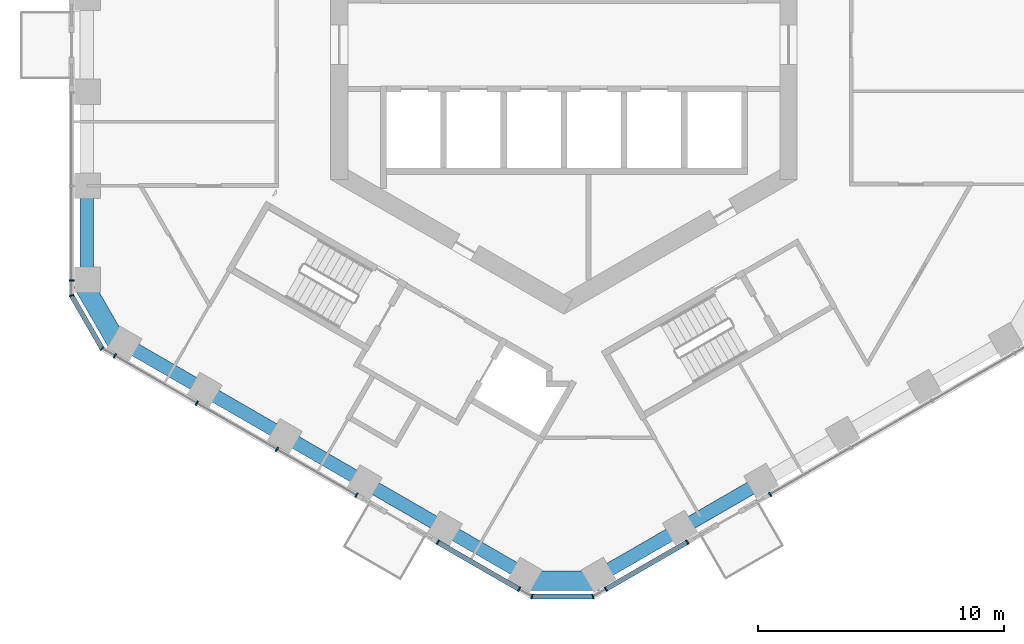
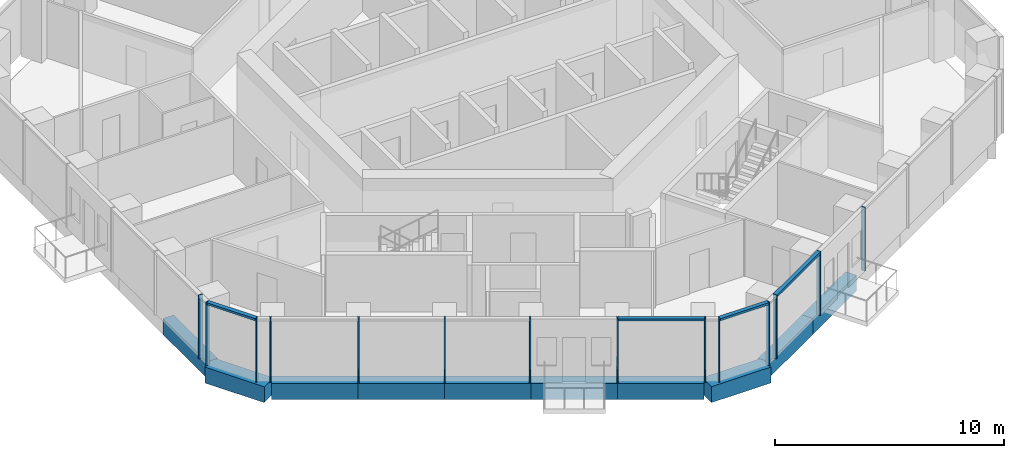
# One storey, part 2 of 20: 18 members, 10 beams, 7 elements without a shape of their own.
"""IFC4 building model written with IfcOpenShell, lengths in metres."""

import ifcopenshell
import ifcopenshell.guid

model = None  # the IFC model being written
_history = None  # IfcOwnerHistory: only IFC2X3 demands one
_inside = {}  # id of a spatial element -> (the spatial element, [elements in it])
_under = {}  # id of a project, library or spatial element -> (it, [spatial elements below it])
_declared = {}  # id of a project -> (the project, [libraries it declares])
_typed = {}  # id of a type object -> (the type object, [elements of that type])
_made_of = {}  # id of a material, layer set ... -> (it, [elements and type objects made of it])


def new_model(schema):
    """Start an empty IFC model of exactly this schema.

    Asked for "IFC4X3", IfcOpenShell would pick the latest addendum, in which some entities
    have other attributes; the version numbers below select the first issue.
    IFC2X3 requires an IfcOwnerHistory on every rooted entity: one is made here for all.
    """
    global model, _history
    if schema == "IFC4X3":
        model = ifcopenshell.file(schema_version=(4, 3, 0, 0))
    else:
        model = ifcopenshell.file(schema=schema)
    _inside.clear()
    _under.clear()
    _declared.clear()
    _typed.clear()
    _made_of.clear()
    _history = None
    if model.schema == "IFC2X3":
        org = make("IfcOrganization", Name="unknown")
        user = make(
            "IfcPersonAndOrganization",
            ThePerson=make("IfcPerson", FamilyName="unknown"),
            TheOrganization=org,
        )
        app = make(
            "IfcApplication",
            ApplicationDeveloper=org,
            Version="unknown",
            ApplicationFullName="unknown",
            ApplicationIdentifier="unknown",
        )
        _history = make(
            "IfcOwnerHistory",
            OwningUser=user,
            OwningApplication=app,
            ChangeAction="ADDED",
            CreationDate=0,
        )
    return model


def make(cls, **values):
    """One entity of the class cls with the attributes given. An attribute that is None is left unset."""
    return model.create_entity(
        cls, **{name: value for name, value in values.items() if value is not None}
    )


def rooted(cls, **values):
    """An entity with a GlobalId (a new one), such as an element, a storey or a relation."""
    return make(cls, GlobalId=ifcopenshell.guid.new(), OwnerHistory=_history, **values)


def si_unit(unit_type, name, prefix=None):
    """IfcSIUnit, for example si_unit("LENGTHUNIT", "METRE", prefix="MILLI")."""
    return make("IfcSIUnit", UnitType=unit_type, Prefix=prefix, Name=name)


def assignment(units):
    """IfcUnitAssignment: the units of a project."""
    return None if units is None else make("IfcUnitAssignment", Units=units)


def point(xyz):
    """IfcCartesianPoint."""
    return None if xyz is None else make("IfcCartesianPoint", Coordinates=xyz)


def direction(xyz):
    """IfcDirection."""
    return None if xyz is None else make("IfcDirection", DirectionRatios=xyz)


def frame(location, z_axis=None, x_axis=None):
    """IfcAxis2Placement3D, a coordinate frame: its origin and axes. An axis left out is left unset."""
    return make(
        "IfcAxis2Placement3D",
        Location=point(location),
        Axis=direction(z_axis),
        RefDirection=direction(x_axis),
    )


def frame_2d(location, x_axis=None):
    """IfcAxis2Placement2D, a coordinate frame in the plane: its origin and x axis."""
    return make(
        "IfcAxis2Placement2D", Location=point(location), RefDirection=direction(x_axis)
    )


def origin():
    """The frame at (0, 0, 0) with its axes left unset."""
    return frame((0.0, 0.0, 0.0))


def origin_2d():
    """The frame at (0, 0) in the plane with its x axis left unset."""
    return frame_2d((0.0, 0.0))


def place(relative_to, where):
    """IfcLocalPlacement: puts the frame where relative to a parent placement (None: the world)."""
    return make(
        "IfcLocalPlacement", PlacementRelTo=relative_to, RelativePlacement=where
    )


def context(
    kind, dimensions, precision=None, world=None, true_north=None, identifier=None
):
    """IfcGeometricRepresentationContext, for example the 3D "Model" context."""
    return make(
        "IfcGeometricRepresentationContext",
        ContextIdentifier=identifier,
        ContextType=kind,
        CoordinateSpaceDimension=dimensions,
        Precision=precision,
        WorldCoordinateSystem=world,
        TrueNorth=true_north,
    )


def subcontext(parent, identifier, kind, view, scale=None):
    """IfcGeometricRepresentationSubContext, for example "Body" below "Model"."""
    return make(
        "IfcGeometricRepresentationSubContext",
        ContextIdentifier=identifier,
        ContextType=kind,
        ParentContext=parent,
        TargetScale=scale,
        TargetView=view,
    )


def project(units=None, contexts=None):
    """IfcProject with its units and contexts."""
    return rooted(
        "IfcProject",
        Name="project",
        RepresentationContexts=contexts,
        UnitsInContext=assignment(units),
    )


def spatial(cls, under=None, at=None, **own):
    """A site, building, storey or space (cls), placed at a placement, below another one or the project."""
    s = rooted(cls, ObjectPlacement=at, **own)
    if under is not None:
        _under.setdefault(under.id(), (under, []))[1].append(s)
    return s


def profile(cls, at=None, kind="AREA", **sizes):
    """A parametric profile (cls). Its sizes go by their IFC names, for example OverallWidth=200.0."""
    return make(cls, ProfileType=kind, Position=at, **sizes)


def rectangle(**sizes):
    """IfcRectangleProfileDef."""
    return profile("IfcRectangleProfileDef", **sizes)


def extrude(swept, where, along, depth):
    """IfcExtrudedAreaSolid: the profile swept, set in the frame where, extruded along a direction by depth."""
    return make(
        "IfcExtrudedAreaSolid",
        SweptArea=swept,
        Position=where,
        ExtrudedDirection=direction(along),
        Depth=depth,
    )


def shape(context_of_items, identifier, shape_type, items):
    """IfcShapeRepresentation: the items that make up one representation, for example the "Body"."""
    return make(
        "IfcShapeRepresentation",
        ContextOfItems=context_of_items,
        RepresentationIdentifier=identifier,
        RepresentationType=shape_type,
        Items=items,
    )


def material(Name=None, Category=None):
    """IfcMaterial."""
    return make("IfcMaterial", Name=Name, Category=Category)


def layer(
    of_material, thickness, ventilated=None, Name=None, Category=None, Priority=None
):
    """IfcMaterialLayer: one layer of a wall or slab, of a material (None: an air gap)."""
    return make(
        "IfcMaterialLayer",
        Material=of_material,
        LayerThickness=thickness,
        IsVentilated=ventilated,
        Name=Name,
        Category=Category,
        Priority=Priority,
    )


def layer_set(layers, Name=None):
    """IfcMaterialLayerSet."""
    return make("IfcMaterialLayerSet", MaterialLayers=layers, LayerSetName=Name)


def material_profile(
    of_material, cross_section, Name=None, Category=None, Priority=None
):
    """IfcMaterialProfile: a cross section and its material."""
    return make(
        "IfcMaterialProfile",
        Name=Name,
        Material=of_material,
        Profile=cross_section,
        Priority=Priority,
        Category=Category,
    )


def profile_set(profiles, Name=None, composite=None):
    """IfcMaterialProfileSet."""
    return make(
        "IfcMaterialProfileSet",
        Name=Name,
        MaterialProfiles=profiles,
        CompositeProfile=composite,
    )


def made_of(thing, what):
    """Note that an element or type object is made of a material, layer set ...; save() writes the relation."""
    if what is not None:
        _made_of.setdefault(what.id(), (what, []))[1].append(thing)
    return thing


def type_object(cls, material=None, **own):
    """A type object (cls), such as IfcWallType, which elements share."""
    return made_of(rooted(cls, **own), material)


def element(
    cls,
    number,
    at=None,
    inside=None,
    cuts=None,
    type_object=None,
    material=None,
    context=None,
    identifier="Body",
    shape_type=None,
    held_by="IfcProductDefinitionShape",
    body=None,
    shapes=None,
    **own,
):
    """One element of the class cls, such as IfcWall. Its Tag is "e" and its number.

    at: its placement. inside: the storey or other place that contains it. cuts: it is an
    opening in that element (IfcRelVoidsElement). A single representation is given by context,
    identifier, shape_type and body (its items); several are given by shapes. held_by: the class
    of the entity that holds the representations. save() writes the other relations.
    """
    e = rooted(cls, Tag="e%d" % number, ObjectPlacement=at, **own)
    if body is not None:
        shapes = [shape(context, identifier, shape_type, body)]
    if shapes is not None:
        e.Representation = make(held_by, Representations=shapes)
    if inside is not None:
        _inside.setdefault(inside.id(), (inside, []))[1].append(e)
    if cuts is not None:
        rooted(
            "IfcRelVoidsElement", RelatingBuildingElement=cuts, RelatedOpeningElement=e
        )
    if type_object is not None:
        _typed.setdefault(type_object.id(), (type_object, []))[1].append(e)
    return made_of(e, material)


def aggregate(whole, parts):
    """IfcRelAggregates: a whole, such as a stair, and the parts it consists of."""
    return rooted("IfcRelAggregates", RelatingObject=whole, RelatedObjects=parts)


def save(model, path):
    """Write the relations noted so far, then the file.

    IfcRelAggregates (storeys below a building ...), IfcRelContainedInSpatialStructure (elements
    in a storey), IfcRelDefinesByType, IfcRelAssociatesMaterial and IfcRelDeclares: one each for
    every whole, place, type object, material and project.
    """
    for whole, parts in _under.values():
        aggregate(whole, parts)
    for where, things in _inside.values():
        rooted(
            "IfcRelContainedInSpatialStructure",
            RelatedElements=things,
            RelatingStructure=where,
        )
    for kind, things in _typed.values():
        rooted("IfcRelDefinesByType", RelatedObjects=things, RelatingType=kind)
    for what, things in _made_of.values():
        rooted("IfcRelAssociatesMaterial", RelatedObjects=things, RelatingMaterial=what)
    for by, libraries in _declared.values():
        rooted("IfcRelDeclares", RelatingContext=by, RelatedDefinitions=libraries)
    model.write(path)


model = new_model("IFC4")

# Units and contexts
model_context = context("Model", 3, precision=1e-05, world=origin(), true_north=direction((0.0, 1.0)))
body_context = subcontext(model_context, "Body", "Model", "MODEL_VIEW")
ifc_project = project(units=[si_unit("LENGTHUNIT", "METRE"), si_unit("AREAUNIT", "SQUARE_METRE"), si_unit("VOLUMEUNIT", "CUBIC_METRE"), si_unit("PLANEANGLEUNIT", "RADIAN"), si_unit("MASSUNIT", "GRAM", prefix="KILO")], contexts=[model_context])

# Site, building, storey
site_placement = place(None, origin())
site = spatial("IfcSite", under=ifc_project, at=site_placement, CompositionType="ELEMENT")
building_placement = place(site_placement, origin())
building = spatial("IfcBuilding", under=site, at=building_placement, Name="Ayvan Gate Tower", CompositionType="ELEMENT")
storey_placement = place(building_placement, frame((0.0, 0.0, 86.5)))
storey = spatial("IfcBuildingStorey", under=building, at=storey_placement, Name="L22", CompositionType="ELEMENT", Elevation=86.5)

# Beams
ifc_material_1 = material(Name="Concrete C40/50", Category="concrete")
ifc_material_profile_1 = material_profile(ifc_material_1, rectangle(XDim=0.800048828125, YDim=0.85009765625, at=origin_2d()), Name="RC 800x850")
ifc_profile_set_1 = profile_set([ifc_material_profile_1], Name="Concrete C40/50")
beam_type_1 = type_object("IfcBeamType", Name="Corner spandrel beam RC 800x850 C40/50", PredefinedType="BEAM", material=ifc_profile_set_1)
for number, where, z_axis, x_axis, name in (
    (1, (-19.63037109375, -9.654296875, -0.77490234375), (0.499990139034, -0.866031096941, 0.0), (0.866031096941, 0.499990139034, 0.0), "SB-L22-24"),
    (2, (-1.5458984375, -21.82763671875, -0.77490234375), (1.0, 0.0, 0.0), (0.0, 1.0, 0.0), "SB-L22-30"),
):
    element("IfcBeam", number, at=place(storey_placement, frame(where, z_axis=z_axis, x_axis=x_axis)), inside=storey, type_object=beam_type_1, Name=name, PredefinedType="BEAM", context=body_context, shape_type="SweptSolid", body=[
        extrude(rectangle(XDim=0.800048828125, YDim=0.85009765625, at=origin_2d()), origin(), (0.0, 0.0, 1.0), 3.0),
    ])
ifc_material_profile_2 = material_profile(ifc_material_1, rectangle(XDim=0.550048828125, YDim=0.85009765625, at=origin_2d()), Name="RC 550x850")
ifc_profile_set_2 = profile_set([ifc_material_profile_2], Name="Concrete C40/50")
beam_type_2 = type_object("IfcBeamType", Name="Spandrel beam RC 550x850 C40/50", PredefinedType="BEAM", material=ifc_profile_set_2)
beam_1_placement = place(storey_placement, frame((-19.439697265625, -5.7265625, -0.77490234375), z_axis=(0.0, -1.0, 0.0), x_axis=(1.0, 0.0, 0.0)))
element("IfcBeam", 3, at=beam_1_placement, inside=storey, type_object=beam_type_2, Name="SB-L22-23", PredefinedType="BEAM", context=body_context, shape_type="SweptSolid", body=[
    extrude(rectangle(XDim=0.550048828125, YDim=0.85009765625, at=origin_2d()), origin(), (0.0, 0.0, 1.0), 3.81787109375),
])
beam_2_placement = place(storey_placement, frame((-17.939697265625, -12.142578125, -0.77490234375), z_axis=(0.866048135668, -0.499960625155, 0.0), x_axis=(0.499960625155, 0.866048135668, 0.0)))
element("IfcBeam", 4, at=beam_2_placement, inside=storey, type_object=beam_type_2, Name="SB-L22-25", PredefinedType="BEAM", context=body_context, shape_type="SweptSolid", body=[
    extrude(rectangle(XDim=0.550048828125, YDim=0.85009765625, at=origin_2d()), origin(), (0.0, 0.0, 1.0), 3.785888671875),
])
for number, where, z_axis, x_axis, name in (
    (5, (-14.660888671875, -14.035400390625, -0.77490234375), (0.86602021339, -0.50000898992, 0.0), (0.50000898992, 0.86602021339, 0.0), "SB-L22-26"),
    (6, (-11.382080078125, -15.928466796875, -0.77490234375), (0.86602021339, -0.50000898992, 0.0), (0.50000898992, 0.86602021339, 0.0), "SB-L22-27"),
):
    element("IfcBeam", number, at=place(storey_placement, frame(where, z_axis=z_axis, x_axis=x_axis)), inside=storey, type_object=beam_type_2, Name=name, PredefinedType="BEAM", context=body_context, shape_type="SweptSolid", body=[
        extrude(rectangle(XDim=0.550048828125, YDim=0.85009765625, at=origin_2d()), origin(), (0.0, 0.0, 1.0), 3.7861328125),
    ])
for number, where, z_axis, x_axis, name in (
    (7, (-8.103271484375, -17.821533203125, -0.77490234375), (0.866004090458, -0.500036913948, 0.0), (0.500036913948, 0.866004090458, 0.0), "SB-L22-28"),
    (8, (-4.82470703125, -19.714599609375, -0.77490234375), (0.866048135668, -0.499960625155, 0.0), (0.499960625155, 0.866048135668, 0.0), "SB-L22-29"),
):
    element("IfcBeam", number, at=place(storey_placement, frame(where, z_axis=z_axis, x_axis=x_axis)), inside=storey, type_object=beam_type_2, Name=name, PredefinedType="BEAM", context=body_context, shape_type="SweptSolid", body=[
        extrude(rectangle(XDim=0.550048828125, YDim=0.85009765625, at=origin_2d()), origin(), (0.0, 0.0, 1.0), 3.785888671875),
    ])
beam_3_placement = place(storey_placement, frame((1.4541015625, -21.607421875, -0.77490234375), z_axis=(0.866054607372, 0.49994941449, 0.0), x_axis=(-0.49994941449, 0.866054607372, 0.0)))
element("IfcBeam", 9, at=beam_3_placement, inside=storey, type_object=beam_type_2, Name="SB-L22-31", PredefinedType="BEAM", context=body_context, shape_type="SweptSolid", body=[
    extrude(rectangle(XDim=0.550048828125, YDim=0.85009765625, at=origin_2d()), origin(), (0.0, 0.0, 1.0), 3.81787109375),
])
beam_4_placement = place(storey_placement, frame((4.760498046875, -19.69873046875, -0.77490234375), z_axis=(0.866010930507, 0.500025067614, 0.0), x_axis=(-0.500025067614, 0.866010930507, 0.0)))
element("IfcBeam", 10, at=beam_4_placement, inside=storey, type_object=beam_type_2, Name="SB-L22-32", PredefinedType="BEAM", context=body_context, shape_type="SweptSolid", body=[
    extrude(rectangle(XDim=0.550048828125, YDim=0.85009765625, at=origin_2d()), origin(), (0.0, 0.0, 1.0), 3.817626953125),
])

# Curtain wall, member
ifc_material_2 = material(Name="Bronze anodised aluminium", Category="aluminium")
ifc_layer_1 = layer(ifc_material_2, 0.199951171875)
ifc_layer_set_1 = layer_set([ifc_layer_1], Name="Bronze anodised aluminium")
curtain_wall_type_1 = type_object("IfcCurtainWallType", Name="Stick curtain wall CW-1", PredefinedType="NOTDEFINED", material=ifc_layer_set_1)
curtain_wall_1_placement = place(storey_placement, origin())
curtain_wall_1 = element("IfcCurtainWall", 11, at=curtain_wall_1_placement, inside=storey, type_object=curtain_wall_type_1, Name="Stick curtain wall CW-1 L22", PredefinedType="NOTDEFINED")
ifc_material_profile_3 = material_profile(ifc_material_2, rectangle(XDim=0.199951171875, YDim=0.06005859375, at=origin_2d()), Name="Stick curtain wall CW-1 mullion 200 x 60")
ifc_profile_set_3 = profile_set([ifc_material_profile_3], Name="Bronze anodised aluminium")
member_type_1 = type_object("IfcMemberType", Name="Stick curtain wall CW-1 mullion 200 x 60", PredefinedType="MULLION", material=ifc_profile_set_3)
member_1_placement = place(storey_placement, frame((-20.05126953125, -9.6044921875, 0.0), z_axis=(0.0, 0.0, 1.0), x_axis=(-1.0, 0.0, 0.0)))
member_1 = element("IfcMember", 12, at=member_1_placement, type_object=member_type_1, Name="CW-1 mullion 3", PredefinedType="MULLION", context=body_context, shape_type="SweptSolid", body=[
    extrude(rectangle(XDim=0.199951171875, YDim=0.06005859375, at=origin_2d()), origin(), (0.0, 0.0, 1.0), 3.39990234375),
])
aggregate(curtain_wall_1, [member_1])

# Curtain wall, members
curtain_wall_2_placement = place(storey_placement, origin())
curtain_wall_2 = element("IfcCurtainWall", 13, at=curtain_wall_2_placement, inside=storey, type_object=curtain_wall_type_1, Name="Stick curtain wall CW-1 L22", PredefinedType="NOTDEFINED")
member_2_placement = place(storey_placement, frame((-18.283935546875, -12.66552734375, 0.0), z_axis=(0.0, 0.0, 1.0), x_axis=(-0.5, -0.866025403784, 0.0)))
member_2 = element("IfcMember", 14, at=member_2_placement, type_object=member_type_1, Name="CW-1 mullion 1", PredefinedType="MULLION", context=body_context, shape_type="SweptSolid", body=[
    extrude(rectangle(XDim=0.199951171875, YDim=0.06005859375, at=origin_2d()), origin(), (0.0, 0.0, 1.0), 3.39990234375),
])
member_3_placement = place(storey_placement, frame((-14.947265625, -14.591796875, 0.0), z_axis=(0.0, 0.0, 1.0), x_axis=(-0.5, -0.866025403784, 0.0)))
member_3 = element("IfcMember", 15, at=member_3_placement, type_object=member_type_1, Name="CW-1 mullion 2", PredefinedType="MULLION", context=body_context, shape_type="SweptSolid", body=[
    extrude(rectangle(XDim=0.199951171875, YDim=0.06005859375, at=origin_2d()), origin(), (0.0, 0.0, 1.0), 3.39990234375),
])
member_4_placement = place(storey_placement, frame((-11.685791015625, -16.474853515625, 0.0), z_axis=(0.0, 0.0, 1.0), x_axis=(-0.5, -0.866025403784, 0.0)))
member_4 = element("IfcMember", 16, at=member_4_placement, type_object=member_type_1, Name="CW-1 mullion 3", PredefinedType="MULLION", context=body_context, shape_type="SweptSolid", body=[
    extrude(rectangle(XDim=0.199951171875, YDim=0.06005859375, at=origin_2d()), origin(), (0.0, 0.0, 1.0), 3.39990234375),
])
member_5_placement = place(storey_placement, frame((-8.4501953125, -18.343017578125, 0.0), z_axis=(0.0, 0.0, 1.0), x_axis=(-0.5, -0.866025403784, 0.0)))
member_5 = element("IfcMember", 17, at=member_5_placement, type_object=member_type_1, Name="CW-1 mullion 4", PredefinedType="MULLION", context=body_context, shape_type="SweptSolid", body=[
    extrude(rectangle(XDim=0.199951171875, YDim=0.06005859375, at=origin_2d()), origin(), (0.0, 0.0, 1.0), 3.39990234375),
])
aggregate(curtain_wall_2, [member_2, member_3, member_4, member_5])

curtain_wall_3_placement = place(storey_placement, origin())
curtain_wall_3 = element("IfcCurtainWall", 18, at=curtain_wall_3_placement, inside=storey, type_object=curtain_wall_type_1, Name="Stick curtain wall CW-1 L22", PredefinedType="NOTDEFINED")
member_6_placement = place(storey_placement, frame((-5.136962890625, -20.255859375, 0.0), z_axis=(0.0, 0.0, 1.0), x_axis=(-0.5, -0.866025403784, 0.0)))
member_6 = element("IfcMember", 19, at=member_6_placement, type_object=member_type_1, Name="CW-1 mullion 1", PredefinedType="MULLION", context=body_context, shape_type="SweptSolid", body=[
    extrude(rectangle(XDim=0.199951171875, YDim=0.06005859375, at=origin_2d()), origin(), (0.0, 0.0, 1.0), 3.39990234375),
])
member_7_placement = place(storey_placement, frame((-1.82666015625, -22.167236328125, 0.0), z_axis=(0.0, 0.0, 1.0), x_axis=(-0.5, -0.866025403784, 0.0)))
member_7 = element("IfcMember", 20, at=member_7_placement, type_object=member_type_1, Name="CW-1 mullion 2", PredefinedType="MULLION", context=body_context, shape_type="SweptSolid", body=[
    extrude(rectangle(XDim=0.199951171875, YDim=0.06005859375, at=origin_2d()), origin(), (0.0, 0.0, 1.0), 3.39990234375),
])

curtain_wall_4_placement = place(storey_placement, origin())
curtain_wall_4 = element("IfcCurtainWall", 21, at=curtain_wall_4_placement, inside=storey, type_object=curtain_wall_type_1, Name="Stick curtain wall CW-1 L22", PredefinedType="NOTDEFINED")
member_8_placement = place(storey_placement, frame((1.707763671875, -22.167236328125, 0.0), z_axis=(0.0, 0.0, 1.0), x_axis=(0.5, -0.866025403784, 0.0)))
member_8 = element("IfcMember", 22, at=member_8_placement, type_object=member_type_1, Name="CW-1 mullion 1", PredefinedType="MULLION", context=body_context, shape_type="SweptSolid", body=[
    extrude(rectangle(XDim=0.199951171875, YDim=0.06005859375, at=origin_2d()), origin(), (0.0, 0.0, 1.0), 3.39990234375),
])
member_9_placement = place(storey_placement, frame((5.02734375, -20.250732421875, 0.0), z_axis=(0.0, 0.0, 1.0), x_axis=(0.5, -0.866025403784, 0.0)))
member_9 = element("IfcMember", 23, at=member_9_placement, type_object=member_type_1, Name="CW-1 mullion 2", PredefinedType="MULLION", context=body_context, shape_type="SweptSolid", body=[
    extrude(rectangle(XDim=0.199951171875, YDim=0.06005859375, at=origin_2d()), origin(), (0.0, 0.0, 1.0), 3.39990234375),
])

# Curtain wall, member
curtain_wall_5_placement = place(storey_placement, origin())
curtain_wall_5 = element("IfcCurtainWall", 24, at=curtain_wall_5_placement, inside=storey, type_object=curtain_wall_type_1, Name="Stick curtain wall CW-1 L22", PredefinedType="NOTDEFINED")
member_10_placement = place(storey_placement, frame((8.39453125, -18.306640625, 0.0), z_axis=(0.0, 0.0, 1.0), x_axis=(0.5, -0.866025403784, 0.0)))
member_10 = element("IfcMember", 25, at=member_10_placement, type_object=member_type_1, Name="CW-1 mullion 1", PredefinedType="MULLION", context=body_context, shape_type="SweptSolid", body=[
    extrude(rectangle(XDim=0.199951171875, YDim=0.06005859375, at=origin_2d()), origin(), (0.0, 0.0, 1.0), 3.39990234375),
])
aggregate(curtain_wall_5, [member_10])

# Member
ifc_material_profile_4 = material_profile(ifc_material_2, rectangle(XDim=0.199951171875, YDim=0.1201171875, at=origin_2d()), Name="Stick curtain wall CW-1 transom 200 x 120")
ifc_profile_set_4 = profile_set([ifc_material_profile_4], Name="Bronze anodised aluminium")
member_type_2 = type_object("IfcMemberType", Name="Stick curtain wall CW-1 transom 200 x 120", PredefinedType="USERDEFINED", material=ifc_profile_set_4)
member_11_placement = place(storey_placement, frame((-5.136962890625, -20.255859375, 3.340087890625), z_axis=(0.866005830769, -0.500033899925, 0.0), x_axis=(0.500033899925, 0.866005830769, 0.0)))
member_11 = element("IfcMember", 26, at=member_11_placement, type_object=member_type_2, Name="CW-1 transom 1", ObjectType="TRANSOM", PredefinedType="USERDEFINED", context=body_context, shape_type="SweptSolid", body=[
    extrude(rectangle(XDim=0.199951171875, YDim=0.1201171875, at=origin_2d()), origin(), (0.0, 0.0, 1.0), 3.822509765625),
])

aggregate(curtain_wall_3, [member_6, member_7, member_11])

member_12_placement = place(storey_placement, frame((1.707763671875, -22.167236328125, 3.340087890625), z_axis=(0.86603179148, 0.499988936024, 0.0), x_axis=(-0.499988936024, 0.86603179148, 0.0)))
member_12 = element("IfcMember", 27, at=member_12_placement, type_object=member_type_2, Name="CW-1 transom 1", ObjectType="TRANSOM", PredefinedType="USERDEFINED", context=body_context, shape_type="SweptSolid", body=[
    extrude(rectangle(XDim=0.199951171875, YDim=0.1201171875, at=origin_2d()), origin(), (0.0, 0.0, 1.0), 3.8330078125),
])

aggregate(curtain_wall_4, [member_8, member_9, member_12])

# Curtain wall, members
ifc_layer_2 = layer(ifc_material_2, 0.199951171875)
ifc_layer_set_2 = layer_set([ifc_layer_2], Name="Bronze anodised aluminium")
curtain_wall_type_2 = type_object("IfcCurtainWallType", Name="Stick curtain wall CW-6", PredefinedType="NOTDEFINED", material=ifc_layer_set_2)
curtain_wall_6_placement = place(storey_placement, origin())
curtain_wall_6 = element("IfcCurtainWall", 28, at=curtain_wall_6_placement, inside=storey, type_object=curtain_wall_type_2, Name="Stick curtain wall CW-6 L22", PredefinedType="NOTDEFINED")
ifc_material_profile_5 = material_profile(ifc_material_2, rectangle(XDim=0.199951171875, YDim=0.050048828125, at=origin_2d()), Name="Stick curtain wall CW-6 mullion 200 x 50")
ifc_profile_set_5 = profile_set([ifc_material_profile_5], Name="Bronze anodised aluminium")
member_type_3 = type_object("IfcMemberType", Name="Stick curtain wall CW-6 mullion 200 x 50", PredefinedType="MULLION", material=ifc_profile_set_5)
member_13_placement = place(storey_placement, frame((-20.05126953125, -10.20947265625, 0.0), z_axis=(0.0, 0.0, 1.0), x_axis=(-0.965925826289, -0.258819045103, 0.0)))
member_13 = element("IfcMember", 29, at=member_13_placement, type_object=member_type_3, Name="CW-6 mullion 2", PredefinedType="MULLION", context=body_context, shape_type="SweptSolid", body=[
    extrude(rectangle(XDim=0.199951171875, YDim=0.050048828125, at=origin_2d()), origin(), (0.0, 0.0, 1.0), 3.39990234375),
])
member_14_placement = place(storey_placement, frame((-18.807861328125, -12.36279296875, 0.0), z_axis=(0.0, 0.0, 1.0), x_axis=(-0.707106781187, -0.707106781187, 0.0)))
member_14 = element("IfcMember", 30, at=member_14_placement, type_object=member_type_3, Name="CW-6 mullion 3", PredefinedType="MULLION", context=body_context, shape_type="SweptSolid", body=[
    extrude(rectangle(XDim=0.199951171875, YDim=0.050048828125, at=origin_2d()), origin(), (0.0, 0.0, 1.0), 3.39990234375),
])

curtain_wall_7_placement = place(storey_placement, origin())
curtain_wall_7 = element("IfcCurtainWall", 31, at=curtain_wall_7_placement, inside=storey, type_object=curtain_wall_type_2, Name="Stick curtain wall CW-6 L22", PredefinedType="NOTDEFINED")
member_15_placement = place(storey_placement, frame((-1.302734375, -22.4697265625, 0.0), z_axis=(0.0, 0.0, 1.0), x_axis=(-0.258819045103, -0.965925826289, 0.0)))
member_15 = element("IfcMember", 32, at=member_15_placement, type_object=member_type_3, Name="CW-6 mullion 2", PredefinedType="MULLION", context=body_context, shape_type="SweptSolid", body=[
    extrude(rectangle(XDim=0.199951171875, YDim=0.050048828125, at=origin_2d()), origin(), (0.0, 0.0, 1.0), 3.39990234375),
])
member_16_placement = place(storey_placement, frame((1.183837890625, -22.4697265625, 0.0), z_axis=(0.0, 0.0, 1.0), x_axis=(0.258819045103, -0.965925826289, 0.0)))
member_16 = element("IfcMember", 33, at=member_16_placement, type_object=member_type_3, Name="CW-6 mullion 3", PredefinedType="MULLION", context=body_context, shape_type="SweptSolid", body=[
    extrude(rectangle(XDim=0.199951171875, YDim=0.050048828125, at=origin_2d()), origin(), (0.0, 0.0, 1.0), 3.39990234375),
])

# Member
ifc_material_profile_6 = material_profile(ifc_material_2, rectangle(XDim=0.199951171875, YDim=0.1201171875, at=origin_2d()), Name="Stick curtain wall CW-6 transom 200 x 120")
ifc_profile_set_6 = profile_set([ifc_material_profile_6], Name="Bronze anodised aluminium")
member_type_4 = type_object("IfcMemberType", Name="Stick curtain wall CW-6 transom 200 x 120", PredefinedType="USERDEFINED", material=ifc_profile_set_6)
member_17_placement = place(storey_placement, frame((-20.038818359375, -10.231201171875, 3.340087890625), z_axis=(0.499997116, -0.866027068856, 0.0), x_axis=(0.866027068856, 0.499997116, 0.0)))
member_17 = element("IfcMember", 34, at=member_17_placement, type_object=member_type_4, Name="CW-6 transom 2", ObjectType="TRANSOM", PredefinedType="USERDEFINED", context=body_context, shape_type="SweptSolid", body=[
    extrude(rectangle(XDim=0.199951171875, YDim=0.1201171875, at=origin_2d()), origin(), (0.0, 0.0, 1.0), 2.4365234375),
])

aggregate(curtain_wall_6, [member_13, member_14, member_17])

member_18_placement = place(storey_placement, frame((-1.277587890625, -22.4697265625, 3.340087890625), z_axis=(1.0, 0.0, 0.0), x_axis=(0.0, 1.0, 0.0)))
member_18 = element("IfcMember", 35, at=member_18_placement, type_object=member_type_4, Name="CW-6 transom 2", ObjectType="TRANSOM", PredefinedType="USERDEFINED", context=body_context, shape_type="SweptSolid", body=[
    extrude(rectangle(XDim=0.199951171875, YDim=0.1201171875, at=origin_2d()), origin(), (0.0, 0.0, 1.0), 2.4365234375),
])

aggregate(curtain_wall_7, [member_15, member_16, member_18])

save(model, "model.ifc")
